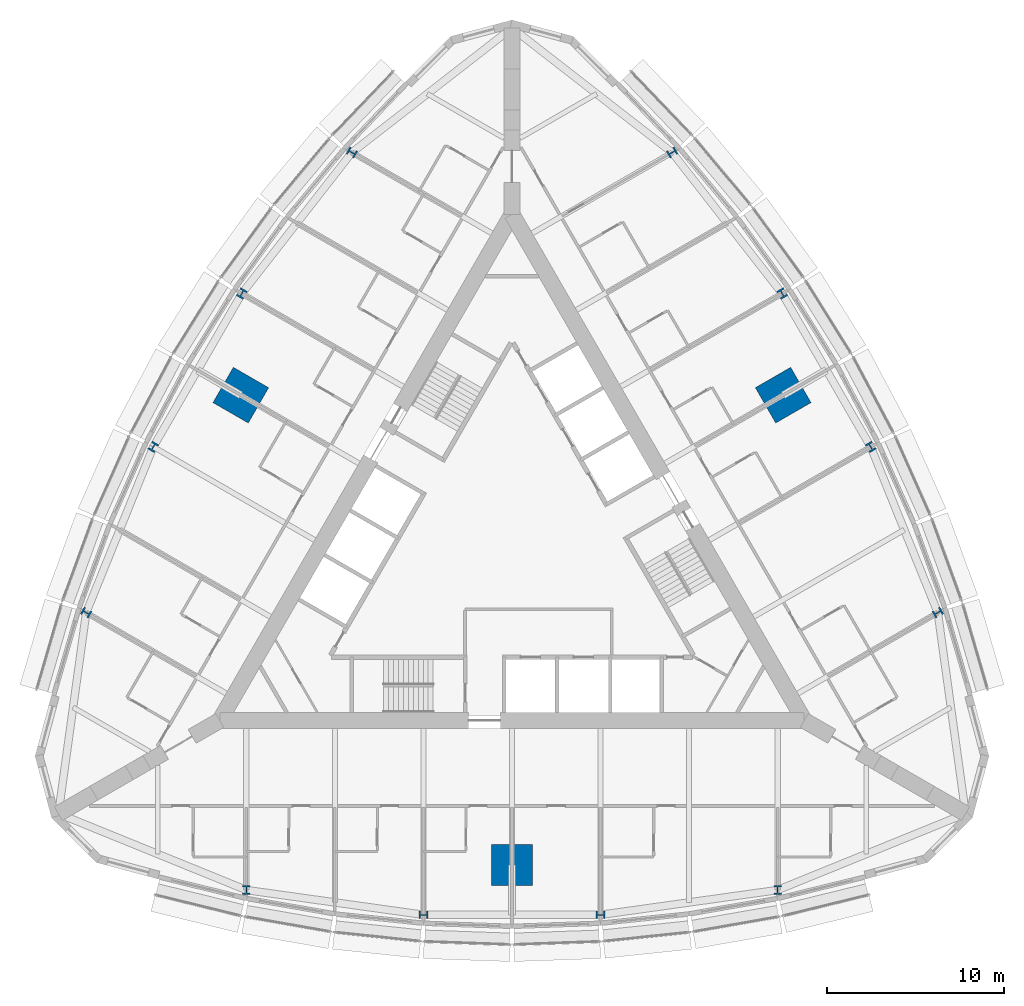
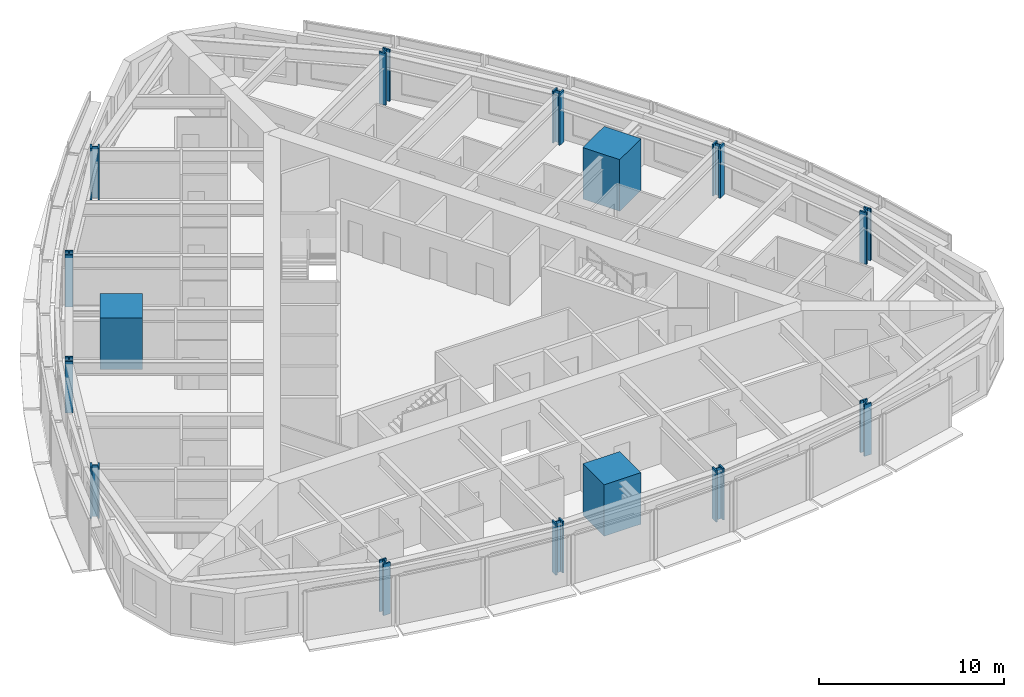
# One storey, part 1 of 14: 15 columns.
"""IFC4 building model written with IfcOpenShell, lengths in metres."""

from ifc_helpers import new_model, si_unit, direction, frame, origin, origin_2d, place, context, subcontext, project, spatial, rectangle, i_section, extrude, material, material_profile, profile_set, type_object, element, save


model = new_model("IFC4")

# Units and contexts
model_context = context("Model", 3, precision=1e-05, world=origin(), true_north=direction((0.0, 1.0)))
body_context = subcontext(model_context, "Body", "Model", "MODEL_VIEW")
ifc_project = project(units=[si_unit("LENGTHUNIT", "METRE"), si_unit("AREAUNIT", "SQUARE_METRE"), si_unit("VOLUMEUNIT", "CUBIC_METRE"), si_unit("PLANEANGLEUNIT", "RADIAN"), si_unit("MASSUNIT", "GRAM", prefix="KILO")], contexts=[model_context])

# Site, building, storey
site_placement = place(None, origin())
site = spatial("IfcSite", under=ifc_project, at=site_placement, CompositionType="ELEMENT")
building_placement = place(site_placement, origin())
building = spatial("IfcBuilding", under=site, at=building_placement, Name="Trikona Tower", CompositionType="ELEMENT")
storey_placement = place(building_placement, frame((0.0, 0.0, 118.10009765625)))
storey = spatial("IfcBuildingStorey", under=building, at=storey_placement, Name="L30", CompositionType="ELEMENT", Elevation=118.10009765625)

# Columns
ifc_material_1 = material(Name="Concrete f'c 10000 psi with encased steel section", Category="concrete")
ifc_material_profile_1 = material_profile(ifc_material_1, rectangle(XDim=2.300048828125, YDim=2.300048828125, at=origin_2d()), Name="MC2300")
ifc_profile_set_1 = profile_set([ifc_material_profile_1], Name="Concrete f'c 10000 psi with encased steel section")
column_type_1 = type_object("IfcColumnType", Name="Composite mega column 2300x2300", PredefinedType="COLUMN", material=ifc_profile_set_1)
for number, where, z_axis, x_axis, name in (
    (1, (0.0, -17.680419921875, 0.0), (0.0, 0.0, 1.0), (0.0, -1.0, 0.0), "Mega column MC1"),
    (2, (15.311767578125, 8.84033203125, 0.0), (0.0, 0.0, 1.0), (0.866025403784, 0.5, 0.0), "Mega column MC2"),
    (3, (-15.311767578125, 8.84033203125, 0.0), (0.0, 0.0, 1.0), (-0.866025403784, 0.5, 0.0), "Mega column MC3"),
):
    element("IfcColumn", number, at=place(storey_placement, frame(where, z_axis=z_axis, x_axis=x_axis)), inside=storey, type_object=column_type_1, Name=name, PredefinedType="COLUMN", context=body_context, shape_type="SweptSolid", body=[
        extrude(rectangle(XDim=2.300048828125, YDim=2.300048828125, at=origin_2d()), origin(), (0.0, 0.0, 1.0), 3.39990234375),
    ])
ifc_material_2 = material(Name="Steel ASTM A992 Grade 50", Category="steel")
ifc_material_profile_2 = material_profile(ifc_material_2, i_section(OverallWidth=0.436767578125, OverallDepth=0.51318359375, WebThickness=0.060546875, FlangeThickness=0.096923828125, at=origin_2d()), Name="W14X550")
ifc_profile_set_2 = profile_set([ifc_material_profile_2], Name="Steel ASTM A992 Grade 50")
column_type_2 = type_object("IfcColumnType", Name="Steel column W14x550", PredefinedType="COLUMN", material=ifc_profile_set_2)
for number, where, z_axis, x_axis, name in (
    (4, (-15.0, -19.10009765625, 0.0), (0.0, 0.0, 1.0), (1.0, 0.0, 0.0), "Column F0m15"),
    (5, (-5.0, -20.500244140625, 0.0), (0.0, 0.0, 1.0), (0.0, -1.0, 0.0), "Column F0m5"),
    (6, (5.0, -20.500244140625, 0.0), (0.0, 0.0, 1.0), (0.0, -1.0, 0.0), "Column F0p5"),
    (7, (15.0, -19.10009765625, 0.0), (0.0, 0.0, 1.0), (1.0, 0.0, 0.0), "Column F0p15"),
    (8, (24.041259765625, -3.440185546875, 0.0), (0.0, 0.0, 1.0), (-0.5, 0.866025403784, 0.0), "Column F1m15"),
    (9, (20.253662109375, 5.919921875, 0.0), (0.0, 0.0, 1.0), (0.866025403784, 0.5, 0.0), "Column F1m5"),
    (10, (15.253662109375, 14.580078125, 0.0), (0.0, 0.0, 1.0), (0.866025403784, 0.5, 0.0), "Column F1p5"),
    (11, (9.041259765625, 22.54052734375, 0.0), (0.0, 0.0, 1.0), (-0.5, 0.866025403784, 0.0), "Column F1p15"),
    (12, (-9.041259765625, 22.54052734375, 0.0), (0.0, 0.0, 1.0), (-0.5, -0.866025403784, 0.0), "Column F2m15"),
    (13, (-15.253662109375, 14.580078125, 0.0), (0.0, 0.0, 1.0), (-0.866025403784, 0.5, 0.0), "Column F2m5"),
    (14, (-20.253662109375, 5.919921875, 0.0), (0.0, 0.0, 1.0), (-0.866025403784, 0.5, 0.0), "Column F2p5"),
    (15, (-24.041259765625, -3.440185546875, 0.0), (0.0, 0.0, 1.0), (-0.5, -0.866025403784, 0.0), "Column F2p15"),
):
    element("IfcColumn", number, at=place(storey_placement, frame(where, z_axis=z_axis, x_axis=x_axis)), inside=storey, type_object=column_type_2, Name=name, PredefinedType="COLUMN", context=body_context, shape_type="SweptSolid", body=[
        extrude(i_section(OverallWidth=0.436767578125, OverallDepth=0.51318359375, WebThickness=0.060546875, FlangeThickness=0.096923828125, at=origin_2d()), origin(), (0.0, 0.0, 1.0), 3.39990234375),
    ])

save(model, "model.ifc")
